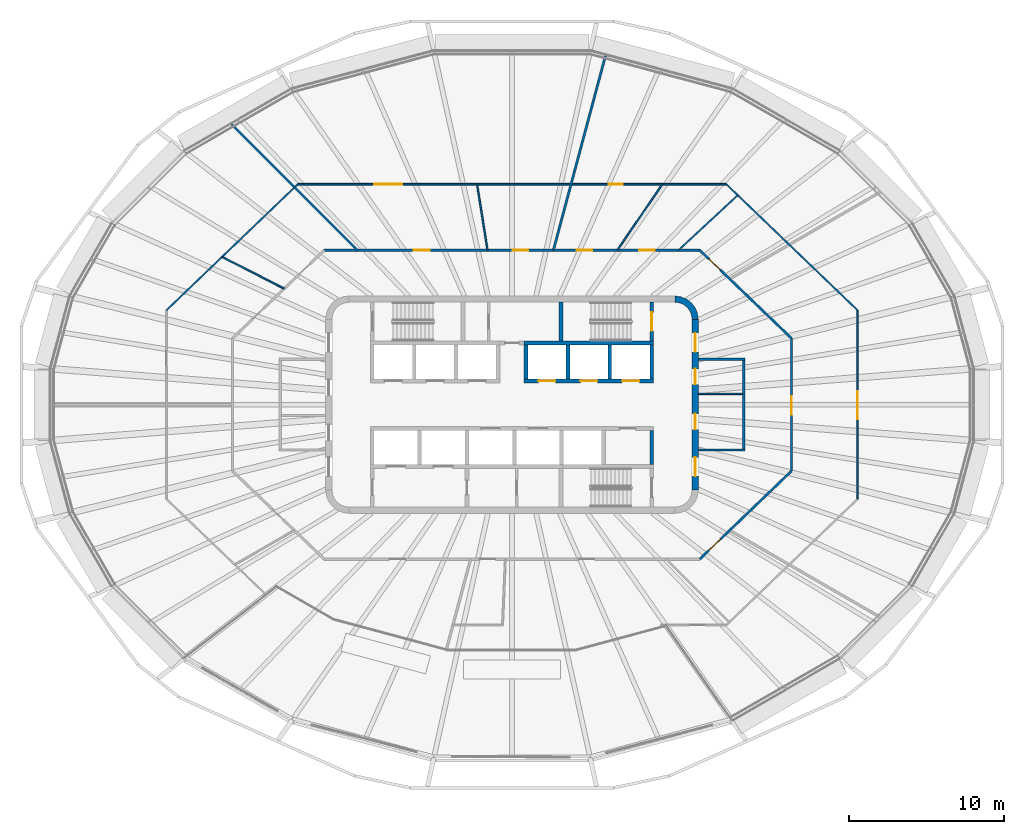
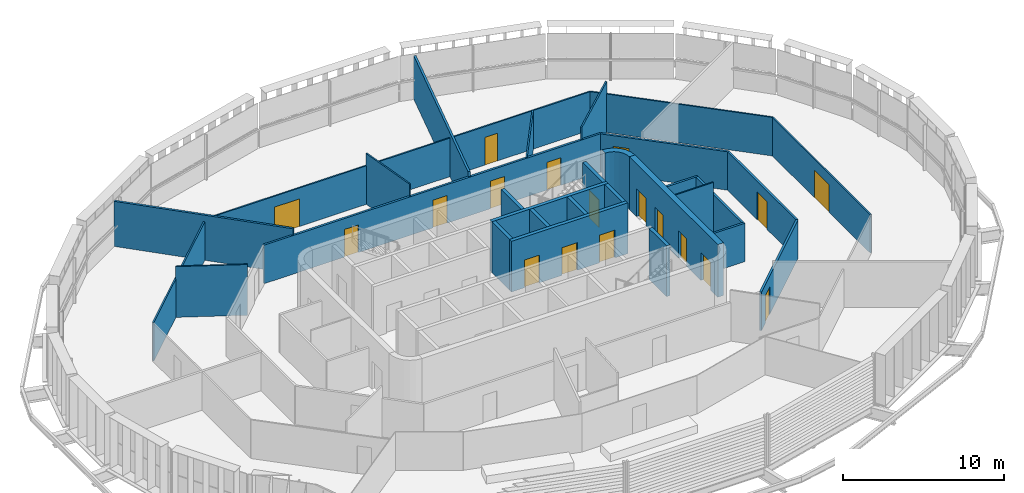
# One storey, part 12 of 20: 29 walls, 18 doors, 18 openings.
"""IFC4 building model written with IfcOpenShell, lengths in metres."""

from ifc_helpers import new_model, si_unit, direction, frame, frame_2d, origin, place, context, subcontext, project, spatial, polyline, rectangle, outline, extrude, material, layer, layer_set, type_object, element, fill, save


model = new_model("IFC4")

# Units and contexts
model_context = context("Model", 3, precision=1e-05, world=origin(), true_north=direction((0.0, 1.0)))
body_context = subcontext(model_context, "Body", "Model", "MODEL_VIEW")
ifc_project = project(units=[si_unit("LENGTHUNIT", "METRE"), si_unit("AREAUNIT", "SQUARE_METRE"), si_unit("VOLUMEUNIT", "CUBIC_METRE"), si_unit("PLANEANGLEUNIT", "RADIAN"), si_unit("MASSUNIT", "GRAM", prefix="KILO")], contexts=[model_context])

# Site, building, storey
site_placement = place(None, origin())
site = spatial("IfcSite", under=ifc_project, at=site_placement, CompositionType="ELEMENT")
building_placement = place(site_placement, origin())
building = spatial("IfcBuilding", under=site, at=building_placement, Name="Sahrelin Media Tower", CompositionType="ELEMENT")
storey_placement = place(building_placement, frame((0.0, 0.0, 271.0)))
storey = spatial("IfcBuildingStorey", under=building, at=storey_placement, Name="L59", CompositionType="ELEMENT", Elevation=271.0)

# Wall, openings, doors
ifc_material_1 = material(Name="Concrete C60/75", Category="concrete")
ifc_layer_1 = layer(ifc_material_1, 0.39990234375)
ifc_layer_set_1 = layer_set([ifc_layer_1], Name="Core wall 400")
wall_type_1 = type_object("IfcWallType", Name="Core wall 400", PredefinedType="SHEAR", material=ifc_layer_set_1)
wall_1_placement = place(storey_placement, frame((11.800048828125, -5.5, 0.0), z_axis=(0.0, 0.0, 1.0), x_axis=(0.0, 1.0, 0.0)))
wall_1 = element("IfcWall", 1, at=wall_1_placement, inside=storey, type_object=wall_type_1, Name="Core wall E L59", PredefinedType="SHEAR", context=body_context, shape_type="SweptSolid", body=[
    extrude(rectangle(XDim=11.0, YDim=0.39990234375, at=frame_2d((5.5, 0.0))), origin(), (0.0, 0.0, 1.0), 4.0),
])
opening_1_placement = place(wall_1_placement, frame((3.89990234375, 0.0, 0.0)))
opening_1 = element("IfcOpeningElement", 2, at=opening_1_placement, cuts=wall_1, Name="Opening L59-D12", PredefinedType="OPENING", context=body_context, shape_type="SweptSolid", body=[
    extrude(rectangle(XDim=1.0, YDim=2.10009765625, at=frame_2d((0.5, 1.050048828125))), frame((0.0, 0.199951171875, 0.0), z_axis=(0.0, -1.0, 0.0), x_axis=(1.0, 0.0, 0.0)), (0.0, 0.0, 1.0), 0.39990234375),
])
opening_2_placement = place(wall_1_placement, frame((6.800048828125, 0.0, 0.0)))
opening_2 = element("IfcOpeningElement", 3, at=opening_2_placement, cuts=wall_1, Name="Opening L59-D13", PredefinedType="OPENING", context=body_context, shape_type="SweptSolid", body=[
    extrude(rectangle(XDim=1.0, YDim=2.10009765625, at=frame_2d((0.5, 1.050048828125))), frame((0.0, 0.199951171875, 0.0), z_axis=(0.0, -1.0, 0.0), x_axis=(1.0, 0.0, 0.0)), (0.0, 0.0, 1.0), 0.39990234375),
])
opening_3_placement = place(wall_1_placement, frame((0.89990234375, 0.0, 0.0)))
opening_3 = element("IfcOpeningElement", 4, at=opening_3_placement, cuts=wall_1, Name="Opening L59-D16", PredefinedType="OPENING", context=body_context, shape_type="SweptSolid", body=[
    extrude(rectangle(XDim=1.199951171875, YDim=2.10009765625, at=frame_2d((0.60009765625, 1.050048828125))), frame((0.0, 0.199951171875, 0.0), z_axis=(0.0, -1.0, 0.0), x_axis=(1.0, 0.0, 0.0)), (0.0, 0.0, 1.0), 0.39990234375),
])
opening_4_placement = place(wall_1_placement, frame((8.89990234375, 0.0, 0.0)))
opening_4 = element("IfcOpeningElement", 5, at=opening_4_placement, cuts=wall_1, Name="Opening L59-D17", PredefinedType="OPENING", context=body_context, shape_type="SweptSolid", body=[
    extrude(rectangle(XDim=1.199951171875, YDim=2.10009765625, at=frame_2d((0.60009765625, 1.050048828125))), frame((0.0, 0.199951171875, 0.0), z_axis=(0.0, -1.0, 0.0), x_axis=(1.0, 0.0, 0.0)), (0.0, 0.0, 1.0), 0.39990234375),
])
ifc_material_2 = material(Name="Steel fire door leaf", Category="steel")
door_type_1 = type_object("IfcDoorType", Name="Fire door 1000 x 2100 EI 60", OperationType="NOTDEFINED", PredefinedType="DOOR", material=ifc_material_2)
door_1_placement = place(opening_1_placement, origin())
door_1 = element("IfcDoor", 6, at=door_1_placement, inside=storey, type_object=door_type_1, Name="Core room door", OperationType="SINGLE_SWING_RIGHT", OverallHeight=2.10009765625, OverallWidth=1.0, PredefinedType="DOOR", context=body_context, shape_type="SweptSolid", body=[
    extrude(rectangle(XDim=1.0, YDim=2.10009765625, at=frame_2d((0.5, 1.050048828125))), frame((0.0, 0.02490234375, 0.0), z_axis=(0.0, -1.0, 0.0), x_axis=(1.0, 0.0, 0.0)), (0.0, 0.0, 1.0), 0.050048828125),
])
fill(opening_1, door_1)
door_2_placement = place(opening_2_placement, origin())
door_2 = element("IfcDoor", 7, at=door_2_placement, inside=storey, type_object=door_type_1, Name="Core room door", OperationType="SINGLE_SWING_RIGHT", OverallHeight=2.10009765625, OverallWidth=1.0, PredefinedType="DOOR", context=body_context, shape_type="SweptSolid", body=[
    extrude(rectangle(XDim=1.0, YDim=2.10009765625, at=frame_2d((0.5, 1.050048828125))), frame((0.0, 0.02490234375, 0.0), z_axis=(0.0, -1.0, 0.0), x_axis=(1.0, 0.0, 0.0)), (0.0, 0.0, 1.0), 0.050048828125),
])
fill(opening_2, door_2)
door_type_2 = type_object("IfcDoorType", Name="Lobby door 1200 x 2100 EI 60", OperationType="NOTDEFINED", PredefinedType="DOOR", material=ifc_material_2)
door_3_placement = place(opening_3_placement, origin())
door_3 = element("IfcDoor", 8, at=door_3_placement, inside=storey, type_object=door_type_2, Name="Lobby door", OperationType="SINGLE_SWING_LEFT", OverallHeight=2.10009765625, OverallWidth=1.199951171875, PredefinedType="DOOR", context=body_context, shape_type="SweptSolid", body=[
    extrude(rectangle(XDim=1.199951171875, YDim=2.10009765625, at=frame_2d((0.60009765625, 1.050048828125))), frame((0.0, 0.02490234375, 0.0), z_axis=(0.0, -1.0, 0.0), x_axis=(1.0, 0.0, 0.0)), (0.0, 0.0, 1.0), 0.050048828125),
])
fill(opening_3, door_3)
door_4_placement = place(opening_4_placement, origin())
door_4 = element("IfcDoor", 9, at=door_4_placement, inside=storey, type_object=door_type_2, Name="Lobby door", OperationType="SINGLE_SWING_LEFT", OverallHeight=2.10009765625, OverallWidth=1.199951171875, PredefinedType="DOOR", context=body_context, shape_type="SweptSolid", body=[
    extrude(rectangle(XDim=1.199951171875, YDim=2.10009765625, at=frame_2d((0.60009765625, 1.050048828125))), frame((0.0, 0.02490234375, 0.0), z_axis=(0.0, -1.0, 0.0), x_axis=(1.0, 0.0, 0.0)), (0.0, 0.0, 1.0), 0.050048828125),
])
fill(opening_4, door_4)

# Walls
wall_2_placement = place(storey_placement, origin())
element("IfcWall", 10, at=wall_2_placement, inside=storey, type_object=wall_type_1, Name="Core wall corner NE L59", PredefinedType="SHEAR", context=body_context, shape_type="SweptSolid", body=[
    extrude(outline(polyline([(10.5, 7.0), (10.5, 6.596435546875), (10.78369140625, 6.55908203125), (11.04833984375, 6.44970703125), (11.275390625, 6.275390625), (11.44970703125, 6.04833984375), (11.55908203125, 5.78369140625), (11.596435546875, 5.5), (12.0, 5.5), (11.948974609375, 5.88818359375), (11.799072265625, 6.25), (11.560791015625, 6.560791015625), (11.25, 6.799072265625), (10.88818359375, 6.948974609375), (10.5, 7.0)])), origin(), (0.0, 0.0, 1.0), 4.0),
])
ifc_material_3 = material(Name="Fire-rated gypsum board partition")
ifc_layer_2 = layer(ifc_material_3, 0.10009765625)
ifc_layer_set_2 = layer_set([ifc_layer_2], Name="Fire-rated partition 100")
wall_type_2 = type_object("IfcWallType", Name="Fire-rated partition 100", PredefinedType="PARTITIONING", material=ifc_layer_set_2)
wall_3_placement = place(storey_placement, frame((12.0, 0.699951171875, 0.0), z_axis=(0.0, 0.0, 1.0), x_axis=(1.0, 0.0, 0.0)))
element("IfcWall", 11, at=wall_3_placement, inside=storey, type_object=wall_type_2, Name="Core room partition", PredefinedType="PARTITIONING", context=body_context, shape_type="SweptSolid", body=[
    extrude(rectangle(XDim=2.85009765625, YDim=0.10009765625, at=frame_2d((1.425048828125, 0.0))), origin(), (0.0, 0.0, 1.0), 3.85009765625),
])
ifc_layer_3 = layer(ifc_material_3, 0.14990234375)
ifc_layer_set_3 = layer_set([ifc_layer_3], Name="Fire-rated partition 150")
wall_type_3 = type_object("IfcWallType", Name="Fire-rated partition 150", PredefinedType="PARTITIONING", material=ifc_layer_set_3)
wall_4_placement = place(storey_placement, frame((14.925048828125, -2.85009765625, 0.0), z_axis=(0.0, 0.0, 1.0), x_axis=(0.0, 1.0, 0.0)))
element("IfcWall", 12, at=wall_4_placement, inside=storey, type_object=wall_type_3, Name="Core room fire partition", PredefinedType="PARTITIONING", context=body_context, shape_type="SweptSolid", body=[
    extrude(rectangle(XDim=5.7001953125, YDim=0.14990234375, at=frame_2d((2.85009765625, 0.0))), origin(), (0.0, 0.0, 1.0), 2.918212890625),
])
for number, where, z_axis, x_axis, name in (
    (13, (12.0, 2.925048828125, 0.0), (0.0, 0.0, 1.0), (1.0, 0.0, 0.0), "Core room fire partition"),
    (14, (12.0, -2.925048828125, 0.0), (0.0, 0.0, 1.0), (1.0, 0.0, 0.0), "Core room fire partition"),
):
    element("IfcWall", number, at=place(storey_placement, frame(where, z_axis=z_axis, x_axis=x_axis)), inside=storey, type_object=wall_type_3, Name=name, PredefinedType="PARTITIONING", context=body_context, shape_type="SweptSolid", body=[
        extrude(rectangle(XDim=3.0, YDim=0.14990234375, at=frame_2d((1.5, 0.0))), origin(), (0.0, 0.0, 1.0), 2.918212890625),
    ])
wall_5_placement = place(storey_placement, frame((-18.10498046875, 18.10498046875, 0.0), z_axis=(0.0, 0.0, 1.0), x_axis=(0.707106781187, -0.707106781187, 0.0)))
element("IfcWall", 15, at=wall_5_placement, inside=storey, type_object=wall_type_3, Name="Wall", PredefinedType="PARTITIONING", context=body_context, shape_type="SweptSolid", body=[
    extrude(rectangle(XDim=11.534423828125, YDim=0.14990234375, at=frame_2d((5.76708984375, 0.0))), origin(), (0.0, 0.0, 1.0), 3.423583984375),
])

# Wall, opening, door
wall_6_placement = place(storey_placement, frame((12.094970703125, 9.948974609375, 0.0), z_axis=(0.0, 0.0, 1.0), x_axis=(0.721260976692, -0.69266341285, 0.0)))
wall_6 = element("IfcWall", 16, at=wall_6_placement, inside=storey, type_object=wall_type_3, Name="Wall", PredefinedType="PARTITIONING", context=body_context, shape_type="SweptSolid", body=[
    extrude(rectangle(XDim=8.18701171875, YDim=0.14990234375, at=frame_2d((4.093505859375, 0.0))), origin(), (0.0, 0.0, 1.0), 2.918212890625),
])
opening_5_placement = place(wall_6_placement, frame((0.83544921875, 0.0, 0.0)))
opening_5 = element("IfcOpeningElement", 17, at=opening_5_placement, cuts=wall_6, Name="Opening L59-D27", PredefinedType="OPENING", context=body_context, shape_type="SweptSolid", body=[
    extrude(rectangle(XDim=1.0, YDim=2.10009765625, at=frame_2d((0.5, 1.050048828125))), frame((0.0, 0.074951171875, 0.0), z_axis=(0.0, -1.0, 0.0), x_axis=(1.0, 0.0, 0.0)), (0.0, 0.0, 1.0), 0.14990234375),
])
door_5_placement = place(opening_5_placement, origin())
door_5 = element("IfcDoor", 18, at=door_5_placement, inside=storey, type_object=door_type_1, Name="Fire door", OperationType="SINGLE_SWING_RIGHT", OverallHeight=2.10009765625, OverallWidth=1.0, PredefinedType="DOOR", context=body_context, shape_type="SweptSolid", body=[
    extrude(rectangle(XDim=1.0, YDim=2.10009765625, at=frame_2d((0.5, 1.050048828125))), frame((0.0, 0.02490234375, 0.0), z_axis=(0.0, -1.0, 0.0), x_axis=(1.0, 0.0, 0.0)), (0.0, 0.0, 1.0), 0.050048828125),
])
fill(opening_5, door_5)

# Wall, openings, doors
wall_7_placement = place(storey_placement, frame((-12.094970703125, 9.948974609375, 0.0), z_axis=(0.0, 0.0, 1.0), x_axis=(1.0, 0.0, 0.0)))
wall_7 = element("IfcWall", 19, at=wall_7_placement, inside=storey, type_object=wall_type_3, Name="Wall", PredefinedType="PARTITIONING", context=body_context, shape_type="SweptSolid", body=[
    extrude(rectangle(XDim=24.18994140625, YDim=0.14990234375, at=frame_2d((12.094970703125, 0.0))), origin(), (0.0, 0.0, 1.0), 2.927001953125),
])
opening_6_placement = place(wall_7_placement, frame((20.29736328125, 0.0, 0.0)))
opening_6 = element("IfcOpeningElement", 20, at=opening_6_placement, cuts=wall_7, Name="Opening L59-D28", PredefinedType="OPENING", context=body_context, shape_type="SweptSolid", body=[
    extrude(rectangle(XDim=1.0, YDim=2.10009765625, at=frame_2d((0.5, 1.050048828125))), frame((0.0, 0.074951171875, 0.0), z_axis=(0.0, -1.0, 0.0), x_axis=(1.0, 0.0, 0.0)), (0.0, 0.0, 1.0), 0.14990234375),
])
opening_7_placement = place(wall_7_placement, frame((16.26953125, 0.0, 0.0)))
opening_7 = element("IfcOpeningElement", 21, at=opening_7_placement, cuts=wall_7, Name="Opening L59-D29", PredefinedType="OPENING", context=body_context, shape_type="SweptSolid", body=[
    extrude(rectangle(XDim=1.0, YDim=2.10009765625, at=frame_2d((0.5, 1.050048828125))), frame((0.0, 0.074951171875, 0.0), z_axis=(0.0, -1.0, 0.0), x_axis=(1.0, 0.0, 0.0)), (0.0, 0.0, 1.0), 0.14990234375),
])
opening_8_placement = place(wall_7_placement, frame((12.139892578125, 0.0, 0.0)))
opening_8 = element("IfcOpeningElement", 22, at=opening_8_placement, cuts=wall_7, Name="Opening L59-D31", PredefinedType="OPENING", context=body_context, shape_type="SweptSolid", body=[
    extrude(rectangle(XDim=1.0, YDim=2.10009765625, at=frame_2d((0.5, 1.050048828125))), frame((0.0, 0.074951171875, 0.0), z_axis=(0.0, -1.0, 0.0), x_axis=(1.0, 0.0, 0.0)), (0.0, 0.0, 1.0), 0.14990234375),
])
opening_9_placement = place(wall_7_placement, frame((5.781982421875, 0.0, 0.0)))
opening_9 = element("IfcOpeningElement", 23, at=opening_9_placement, cuts=wall_7, Name="Opening L59-D32", PredefinedType="OPENING", context=body_context, shape_type="SweptSolid", body=[
    extrude(rectangle(XDim=1.0, YDim=2.10009765625, at=frame_2d((0.5, 1.050048828125))), frame((0.0, 0.074951171875, 0.0), z_axis=(0.0, -1.0, 0.0), x_axis=(1.0, 0.0, 0.0)), (0.0, 0.0, 1.0), 0.14990234375),
])
door_6_placement = place(opening_6_placement, origin())
door_6 = element("IfcDoor", 24, at=door_6_placement, inside=storey, type_object=door_type_1, Name="Fire door", OperationType="SINGLE_SWING_LEFT", OverallHeight=2.10009765625, OverallWidth=1.0, PredefinedType="DOOR", context=body_context, shape_type="SweptSolid", body=[
    extrude(rectangle(XDim=1.0, YDim=2.10009765625, at=frame_2d((0.5, 1.050048828125))), frame((0.0, 0.02490234375, 0.0), z_axis=(0.0, -1.0, 0.0), x_axis=(1.0, 0.0, 0.0)), (0.0, 0.0, 1.0), 0.050048828125),
])
fill(opening_6, door_6)
door_7_placement = place(opening_7_placement, origin())
door_7 = element("IfcDoor", 25, at=door_7_placement, inside=storey, type_object=door_type_1, Name="Fire door", OperationType="SINGLE_SWING_LEFT", OverallHeight=2.10009765625, OverallWidth=1.0, PredefinedType="DOOR", context=body_context, shape_type="SweptSolid", body=[
    extrude(rectangle(XDim=1.0, YDim=2.10009765625, at=frame_2d((0.5, 1.050048828125))), frame((0.0, 0.02490234375, 0.0), z_axis=(0.0, -1.0, 0.0), x_axis=(1.0, 0.0, 0.0)), (0.0, 0.0, 1.0), 0.050048828125),
])
fill(opening_7, door_7)
door_8_placement = place(opening_8_placement, origin())
door_8 = element("IfcDoor", 26, at=door_8_placement, inside=storey, type_object=door_type_1, Name="Fire door", OperationType="SINGLE_SWING_LEFT", OverallHeight=2.10009765625, OverallWidth=1.0, PredefinedType="DOOR", context=body_context, shape_type="SweptSolid", body=[
    extrude(rectangle(XDim=1.0, YDim=2.10009765625, at=frame_2d((0.5, 1.050048828125))), frame((0.0, 0.02490234375, 0.0), z_axis=(0.0, -1.0, 0.0), x_axis=(1.0, 0.0, 0.0)), (0.0, 0.0, 1.0), 0.050048828125),
])
fill(opening_8, door_8)
door_9_placement = place(opening_9_placement, origin())
door_9 = element("IfcDoor", 27, at=door_9_placement, inside=storey, type_object=door_type_1, Name="Fire door", OperationType="SINGLE_SWING_LEFT", OverallHeight=2.10009765625, OverallWidth=1.0, PredefinedType="DOOR", context=body_context, shape_type="SweptSolid", body=[
    extrude(rectangle(XDim=1.0, YDim=2.10009765625, at=frame_2d((0.5, 1.050048828125))), frame((0.0, 0.02490234375, 0.0), z_axis=(0.0, -1.0, 0.0), x_axis=(1.0, 0.0, 0.0)), (0.0, 0.0, 1.0), 0.050048828125),
])
fill(opening_9, door_9)

# Wall, opening, door
wall_8_placement = place(storey_placement, frame((12.094970703125, -9.948974609375, 0.0), z_axis=(0.0, 0.0, 1.0), x_axis=(0.721246078931, 0.692678925352, 0.0)))
wall_8 = element("IfcWall", 28, at=wall_8_placement, inside=storey, type_object=wall_type_3, Name="Wall", PredefinedType="PARTITIONING", context=body_context, shape_type="SweptSolid", body=[
    extrude(rectangle(XDim=8.187255859375, YDim=0.14990234375, at=frame_2d((4.09375, 0.0))), origin(), (0.0, 0.0, 1.0), 2.918212890625),
])
opening_10_placement = place(wall_8_placement, frame((0.835693359375, 0.0, 0.0)))
opening_10 = element("IfcOpeningElement", 29, at=opening_10_placement, cuts=wall_8, Name="Opening L59-D23", PredefinedType="OPENING", context=body_context, shape_type="SweptSolid", body=[
    extrude(rectangle(XDim=1.0, YDim=2.10009765625, at=frame_2d((0.5, 1.050048828125))), frame((0.0, 0.074951171875, 0.0), z_axis=(0.0, -1.0, 0.0), x_axis=(1.0, 0.0, 0.0)), (0.0, 0.0, 1.0), 0.14990234375),
])
door_10_placement = place(opening_10_placement, origin())
door_10 = element("IfcDoor", 30, at=door_10_placement, inside=storey, type_object=door_type_1, Name="Fire door", OperationType="SINGLE_SWING_RIGHT", OverallHeight=2.10009765625, OverallWidth=1.0, PredefinedType="DOOR", context=body_context, shape_type="SweptSolid", body=[
    extrude(rectangle(XDim=1.0, YDim=2.10009765625, at=frame_2d((0.5, 1.050048828125))), frame((0.0, 0.02490234375, 0.0), z_axis=(0.0, -1.0, 0.0), x_axis=(1.0, 0.0, 0.0)), (0.0, 0.0, 1.0), 0.050048828125),
])
fill(opening_10, door_10)

# Wall
wall_9_placement = place(storey_placement, frame((2.666015625, 9.948974609375, 0.0), z_axis=(0.0, 0.0, 1.0), x_axis=(0.258771640592, 0.965938527043, 0.0)))
element("IfcWall", 31, at=wall_9_placement, inside=storey, type_object=wall_type_3, Name="Wall", PredefinedType="PARTITIONING", context=body_context, shape_type="SweptSolid", body=[
    extrude(rectangle(XDim=13.04248046875, YDim=0.14990234375, at=frame_2d((6.521240234375, 0.0))), origin(), (0.0, 0.0, 1.0), 3.3017578125),
])

# Wall, opening, door
wall_10_placement = place(storey_placement, frame((18.0, -4.278076171875, 0.0), z_axis=(0.0, 0.0, 1.0), x_axis=(0.0, 1.0, 0.0)))
wall_10 = element("IfcWall", 32, at=wall_10_placement, inside=storey, type_object=wall_type_3, Name="Wall", PredefinedType="PARTITIONING", context=body_context, shape_type="SweptSolid", body=[
    extrude(rectangle(XDim=8.55615234375, YDim=0.14990234375, at=frame_2d((4.278076171875, 0.0))), origin(), (0.0, 0.0, 1.0), 2.918212890625),
])
opening_11_placement = place(wall_10_placement, frame((3.62744140625, 0.0, 0.0)))
opening_11 = element("IfcOpeningElement", 33, at=opening_11_placement, cuts=wall_10, Name="Opening L59-D25", PredefinedType="OPENING", context=body_context, shape_type="SweptSolid", body=[
    extrude(rectangle(XDim=1.199951171875, YDim=2.10009765625, at=frame_2d((0.60009765625, 1.050048828125))), frame((0.0, 0.074951171875, 0.0), z_axis=(0.0, -1.0, 0.0), x_axis=(1.0, 0.0, 0.0)), (0.0, 0.0, 1.0), 0.14990234375),
])
door_type_3 = type_object("IfcDoorType", Name="Service double door 1200 x 2100 EI 60", OperationType="DOUBLE_DOOR_SINGLE_SWING", PredefinedType="DOOR", material=ifc_material_2)
door_11_placement = place(opening_11_placement, origin())
door_11 = element("IfcDoor", 34, at=door_11_placement, inside=storey, type_object=door_type_3, Name="Service double door", OperationType="DOUBLE_DOOR_SINGLE_SWING", OverallHeight=2.10009765625, OverallWidth=1.199951171875, PredefinedType="DOOR", context=body_context, shape_type="SweptSolid", body=[
    extrude(rectangle(XDim=1.199951171875, YDim=2.10009765625, at=frame_2d((0.60009765625, 1.050048828125))), frame((0.0, 0.02490234375, 0.0), z_axis=(0.0, -1.0, 0.0), x_axis=(1.0, 0.0, 0.0)), (0.0, 0.0, 1.0), 0.050048828125),
])
fill(opening_11, door_11)

# Wall, openings, doors
ifc_layer_4 = layer(ifc_material_1, 0.25)
ifc_layer_set_4 = layer_set([ifc_layer_4], Name="Lift shaft wall 250")
wall_type_4 = type_object("IfcWallType", Name="Lift shaft wall 250", PredefinedType="SOLIDWALL", material=ifc_layer_set_4)
wall_11_placement = place(storey_placement, frame((0.77490234375, 1.52490234375, 0.0), z_axis=(0.0, 0.0, 1.0), x_axis=(1.0, 0.0, 0.0)))
wall_11 = element("IfcWall", 35, at=wall_11_placement, inside=storey, type_object=wall_type_4, Name="Lift shaft wall", PredefinedType="SOLIDWALL", context=body_context, shape_type="SweptSolid", body=[
    extrude(rectangle(XDim=8.35009765625, YDim=0.25, at=frame_2d((4.175048828125, 0.0))), origin(), (0.0, 0.0, 1.0), 3.85009765625),
])
opening_12_placement = place(wall_11_placement, frame((0.925048828125, 0.0, 0.0)))
opening_12 = element("IfcOpeningElement", 36, at=opening_12_placement, cuts=wall_11, Name="Opening L59-LD-HR4", PredefinedType="OPENING", context=body_context, shape_type="SweptSolid", body=[
    extrude(rectangle(XDim=1.10009765625, YDim=2.10009765625, at=frame_2d((0.550048828125, 1.050048828125))), frame((0.0, 0.125, 0.0), z_axis=(0.0, -1.0, 0.0), x_axis=(1.0, 0.0, 0.0)), (0.0, 0.0, 1.0), 0.25),
])
opening_13_placement = place(wall_11_placement, frame((3.625, 0.0, 0.0)))
opening_13 = element("IfcOpeningElement", 37, at=opening_13_placement, cuts=wall_11, Name="Opening L59-LD-HR5", PredefinedType="OPENING", context=body_context, shape_type="SweptSolid", body=[
    extrude(rectangle(XDim=1.10009765625, YDim=2.10009765625, at=frame_2d((0.550048828125, 1.050048828125))), frame((0.0, 0.125, 0.0), z_axis=(0.0, -1.0, 0.0), x_axis=(1.0, 0.0, 0.0)), (0.0, 0.0, 1.0), 0.25),
])
opening_14_placement = place(wall_11_placement, frame((6.324951171875, 0.0, 0.0)))
opening_14 = element("IfcOpeningElement", 38, at=opening_14_placement, cuts=wall_11, Name="Opening L59-LD-HR6", PredefinedType="OPENING", context=body_context, shape_type="SweptSolid", body=[
    extrude(rectangle(XDim=1.10009765625, YDim=2.10009765625, at=frame_2d((0.550048828125, 1.050048828125))), frame((0.0, 0.125, 0.0), z_axis=(0.0, -1.0, 0.0), x_axis=(1.0, 0.0, 0.0)), (0.0, 0.0, 1.0), 0.25),
])
ifc_material_4 = material(Name="Stainless steel", Category="steel")
door_type_4 = type_object("IfcDoorType", Name="Lift landing door 1100 x 2100 EI 120", OperationType="DOUBLE_DOOR_SLIDING", PredefinedType="DOOR", material=ifc_material_4)
door_12_placement = place(opening_12_placement, origin())
door_12 = element("IfcDoor", 39, at=door_12_placement, inside=storey, type_object=door_type_4, Name="Lift landing door HR4", OperationType="DOUBLE_DOOR_SLIDING", OverallHeight=2.10009765625, OverallWidth=1.10009765625, PredefinedType="DOOR", context=body_context, shape_type="SweptSolid", body=[
    extrude(rectangle(XDim=1.10009765625, YDim=2.10009765625, at=frame_2d((0.550048828125, 1.050048828125))), frame((0.0, 0.02490234375, 0.0), z_axis=(0.0, -1.0, 0.0), x_axis=(1.0, 0.0, 0.0)), (0.0, 0.0, 1.0), 0.050048828125),
])
fill(opening_12, door_12)
door_13_placement = place(opening_13_placement, origin())
door_13 = element("IfcDoor", 40, at=door_13_placement, inside=storey, type_object=door_type_4, Name="Lift landing door HR5", OperationType="DOUBLE_DOOR_SLIDING", OverallHeight=2.10009765625, OverallWidth=1.10009765625, PredefinedType="DOOR", context=body_context, shape_type="SweptSolid", body=[
    extrude(rectangle(XDim=1.10009765625, YDim=2.10009765625, at=frame_2d((0.550048828125, 1.050048828125))), frame((0.0, 0.02490234375, 0.0), z_axis=(0.0, -1.0, 0.0), x_axis=(1.0, 0.0, 0.0)), (0.0, 0.0, 1.0), 0.050048828125),
])
fill(opening_13, door_13)
door_14_placement = place(opening_14_placement, origin())
door_14 = element("IfcDoor", 41, at=door_14_placement, inside=storey, type_object=door_type_4, Name="Lift landing door HR6", OperationType="DOUBLE_DOOR_SLIDING", OverallHeight=2.10009765625, OverallWidth=1.10009765625, PredefinedType="DOOR", context=body_context, shape_type="SweptSolid", body=[
    extrude(rectangle(XDim=1.10009765625, YDim=2.10009765625, at=frame_2d((0.550048828125, 1.050048828125))), frame((0.0, 0.02490234375, 0.0), z_axis=(0.0, -1.0, 0.0), x_axis=(1.0, 0.0, 0.0)), (0.0, 0.0, 1.0), 0.050048828125),
])
fill(opening_14, door_14)

# Walls
wall_12_placement = place(storey_placement, frame((0.77490234375, 3.97509765625, 0.0), z_axis=(0.0, 0.0, 1.0), x_axis=(1.0, 0.0, 0.0)))
element("IfcWall", 42, at=wall_12_placement, inside=storey, type_object=wall_type_4, Name="Lift shaft wall", PredefinedType="SOLIDWALL", context=body_context, shape_type="SweptSolid", body=[
    extrude(rectangle(XDim=8.35009765625, YDim=0.25, at=frame_2d((4.175048828125, 0.0))), origin(), (0.0, 0.0, 1.0), 3.85009765625),
])
for number, where, z_axis, x_axis, name in (
    (43, (9.0, 1.64990234375, 0.0), (0.0, 0.0, 1.0), (0.0, 1.0, 0.0), "Lift shaft wall"),
    (44, (6.300048828125, 1.64990234375, 0.0), (0.0, 0.0, 1.0), (0.0, 1.0, 0.0), "Lift shaft wall"),
    (45, (3.60009765625, 1.64990234375, 0.0), (0.0, 0.0, 1.0), (0.0, 1.0, 0.0), "Lift shaft wall"),
    (46, (0.89990234375, 1.64990234375, 0.0), (0.0, 0.0, 1.0), (0.0, 1.0, 0.0), "Lift shaft wall"),
    (47, (9.0, -3.85009765625, 0.0), (0.0, 0.0, 1.0), (0.0, 1.0, 0.0), "Lift shaft wall"),
):
    element("IfcWall", number, at=place(storey_placement, frame(where, z_axis=z_axis, x_axis=x_axis)), inside=storey, type_object=wall_type_4, Name=name, PredefinedType="SOLIDWALL", context=body_context, shape_type="SweptSolid", body=[
        extrude(rectangle(XDim=2.2001953125, YDim=0.25, at=frame_2d((1.10009765625, 0.0))), origin(), (0.0, 0.0, 1.0), 3.85009765625),
    ])
ifc_material_5 = material(Name="Gypsum board partition")
ifc_layer_5 = layer(ifc_material_5, 0.10009765625)
ifc_layer_set_5 = layer_set([ifc_layer_5], Name="Partition 100")
wall_type_5 = type_object("IfcWallType", Name="Partition 100", PredefinedType="PARTITIONING", material=ifc_layer_set_5)
wall_13_placement = place(storey_placement, frame((-2.2490234375, 14.198974609375, 0.0), z_axis=(0.0, 0.0, 1.0), x_axis=(0.156425811894, -0.98768971108, 0.0)))
element("IfcWall", 48, at=wall_13_placement, inside=storey, type_object=wall_type_5, Name="Wall", PredefinedType="PARTITIONING", context=body_context, shape_type="SweptSolid", body=[
    extrude(rectangle(XDim=4.302978515625, YDim=0.10009765625, at=frame_2d((2.1513671875, 0.0))), origin(), (0.0, 0.0, 1.0), 3.85009765625),
])
wall_14_placement = place(storey_placement, frame((13.804931640625, 14.198974609375, 0.0), z_axis=(0.0, 0.0, 1.0), x_axis=(0.721317314508, -0.692604744274, 0.0)))
element("IfcWall", 49, at=wall_14_placement, inside=storey, type_object=wall_type_5, Name="Wall", PredefinedType="PARTITIONING", context=body_context, shape_type="SweptSolid", body=[
    extrude(rectangle(XDim=11.70849609375, YDim=0.10009765625, at=frame_2d((5.854248046875, 0.0))), origin(), (0.0, 0.0, 1.0), 2.927001953125),
])
wall_15_placement = place(storey_placement, frame((-18.679931640625, 9.51806640625, 0.0), z_axis=(0.0, 0.0, 1.0), x_axis=(0.890982762067, -0.454037132512, 0.0)))
element("IfcWall", 50, at=wall_15_placement, inside=storey, type_object=wall_type_5, Name="Wall", PredefinedType="PARTITIONING", context=body_context, shape_type="SweptSolid", body=[
    extrude(rectangle(XDim=4.49951171875, YDim=0.10009765625, at=frame_2d((2.249755859375, 0.0))), origin(), (0.0, 0.0, 1.0), 3.85009765625),
])

# Wall, openings, doors
wall_16_placement = place(storey_placement, frame((-13.804931640625, 14.198974609375, 0.0), z_axis=(0.0, 0.0, 1.0), x_axis=(1.0, 0.0, 0.0)))
wall_16 = element("IfcWall", 51, at=wall_16_placement, inside=storey, type_object=wall_type_5, Name="Wall", PredefinedType="PARTITIONING", context=body_context, shape_type="SweptSolid", body=[
    extrude(rectangle(XDim=27.60986328125, YDim=0.10009765625, at=frame_2d((13.804931640625, 0.0))), origin(), (0.0, 0.0, 1.0), 2.927001953125),
])
opening_15_placement = place(wall_16_placement, frame((20.047119140625, 0.0, 0.0)))
opening_15 = element("IfcOpeningElement", 52, at=opening_15_placement, cuts=wall_16, Name="Opening L59-D30", PredefinedType="OPENING", context=body_context, shape_type="SweptSolid", body=[
    extrude(rectangle(XDim=0.89990234375, YDim=2.10009765625, at=frame_2d((0.449951171875, 1.050048828125))), frame((0.0, 0.050048828125, 0.0), z_axis=(0.0, -1.0, 0.0), x_axis=(1.0, 0.0, 0.0)), (0.0, 0.0, 1.0), 0.10009765625),
])
opening_16_placement = place(wall_16_placement, frame((4.92822265625, 0.0, 0.0)))
opening_16 = element("IfcOpeningElement", 53, at=opening_16_placement, cuts=wall_16, Name="Opening L59-D33", PredefinedType="OPENING", context=body_context, shape_type="SweptSolid", body=[
    extrude(rectangle(XDim=1.800048828125, YDim=2.10009765625, at=frame_2d((0.89990234375, 1.050048828125))), frame((0.0, 0.050048828125, 0.0), z_axis=(0.0, -1.0, 0.0), x_axis=(1.0, 0.0, 0.0)), (0.0, 0.0, 1.0), 0.10009765625),
])
ifc_material_6 = material(Name="Timber door leaf", Category="wood")
door_type_5 = type_object("IfcDoorType", Name="Double door 1800 x 2100", OperationType="DOUBLE_DOOR_SINGLE_SWING", PredefinedType="DOOR", material=ifc_material_6)
door_15_placement = place(opening_16_placement, origin())
door_15 = element("IfcDoor", 54, at=door_15_placement, inside=storey, type_object=door_type_5, Name="Double door", OperationType="DOUBLE_DOOR_SINGLE_SWING", OverallHeight=2.10009765625, OverallWidth=1.800048828125, PredefinedType="DOOR", context=body_context, shape_type="SweptSolid", body=[
    extrude(rectangle(XDim=1.800048828125, YDim=2.10009765625, at=frame_2d((0.89990234375, 1.050048828125))), frame((0.0, 0.02490234375, 0.0), z_axis=(0.0, -1.0, 0.0), x_axis=(1.0, 0.0, 0.0)), (0.0, 0.0, 1.0), 0.050048828125),
])
fill(opening_16, door_15)
door_type_6 = type_object("IfcDoorType", Name="Single door 900 x 2100", OperationType="NOTDEFINED", PredefinedType="DOOR", material=ifc_material_6)
door_16_placement = place(opening_15_placement, origin())
door_16 = element("IfcDoor", 55, at=door_16_placement, inside=storey, type_object=door_type_6, Name="Single door", OperationType="SINGLE_SWING_RIGHT", OverallHeight=2.10009765625, OverallWidth=0.89990234375, PredefinedType="DOOR", context=body_context, shape_type="SweptSolid", body=[
    extrude(rectangle(XDim=0.89990234375, YDim=2.10009765625, at=frame_2d((0.449951171875, 1.050048828125))), frame((0.0, 0.02490234375, 0.0), z_axis=(0.0, -1.0, 0.0), x_axis=(1.0, 0.0, 0.0)), (0.0, 0.0, 1.0), 0.050048828125),
])
fill(opening_15, door_16)

# Walls
wall_17_placement = place(storey_placement, frame((10.722900390625, 9.948974609375, 0.0), z_axis=(0.0, 0.0, 1.0), x_axis=(0.733112222909, 0.680107688989, 0.0)))
element("IfcWall", 56, at=wall_17_placement, inside=storey, type_object=wall_type_5, Name="Wall", PredefinedType="PARTITIONING", context=body_context, shape_type="SweptSolid", body=[
    extrude(rectangle(XDim=5.20947265625, YDim=0.10009765625, at=frame_2d((2.604736328125, 0.0))), origin(), (0.0, 0.0, 1.0), 3.85009765625),
])
wall_18_placement = place(storey_placement, frame((-22.25, 6.089111328125, 0.0), z_axis=(0.0, 0.0, 1.0), x_axis=(0.721429821881, 0.692487553751, 0.0)))
element("IfcWall", 57, at=wall_18_placement, inside=storey, type_object=wall_type_5, Name="Wall", PredefinedType="PARTITIONING", context=body_context, shape_type="SweptSolid", body=[
    extrude(rectangle(XDim=11.70849609375, YDim=0.10009765625, at=frame_2d((5.854248046875, 0.0))), origin(), (0.0, 0.0, 1.0), 2.927001953125),
])
wall_19_placement = place(storey_placement, frame((6.783935546875, 9.948974609375, 0.0), z_axis=(0.0, 0.0, 1.0), x_axis=(0.563236665665, 0.826295624127, 0.0)))
element("IfcWall", 58, at=wall_19_placement, inside=storey, type_object=wall_type_5, Name="Wall", PredefinedType="PARTITIONING", context=body_context, shape_type="SweptSolid", body=[
    extrude(rectangle(XDim=5.1435546875, YDim=0.10009765625, at=frame_2d((2.57177734375, 0.0))), origin(), (0.0, 0.0, 1.0), 2.927001953125),
])

# Wall, opening, door
wall_20_placement = place(storey_placement, frame((22.25, -6.089111328125, 0.0), z_axis=(0.0, 0.0, 1.0), x_axis=(0.0, 1.0, 0.0)))
wall_20 = element("IfcWall", 59, at=wall_20_placement, inside=storey, type_object=wall_type_5, Name="Wall", PredefinedType="PARTITIONING", context=body_context, shape_type="SweptSolid", body=[
    extrude(rectangle(XDim=12.17822265625, YDim=0.10009765625, at=frame_2d((6.089111328125, 0.0))), origin(), (0.0, 0.0, 1.0), 2.918212890625),
])
opening_17_placement = place(wall_20_placement, frame((5.138671875, 0.0, 0.0)))
opening_17 = element("IfcOpeningElement", 60, at=opening_17_placement, cuts=wall_20, Name="Opening L59-D26", PredefinedType="OPENING", context=body_context, shape_type="SweptSolid", body=[
    extrude(rectangle(XDim=1.800048828125, YDim=2.10009765625, at=frame_2d((0.89990234375, 1.050048828125))), frame((0.0, 0.050048828125, 0.0), z_axis=(0.0, -1.0, 0.0), x_axis=(1.0, 0.0, 0.0)), (0.0, 0.0, 1.0), 0.10009765625),
])
door_17_placement = place(opening_17_placement, origin())
door_17 = element("IfcDoor", 61, at=door_17_placement, inside=storey, type_object=door_type_5, Name="Double door", OperationType="DOUBLE_DOOR_SINGLE_SWING", OverallHeight=2.10009765625, OverallWidth=1.800048828125, PredefinedType="DOOR", context=body_context, shape_type="SweptSolid", body=[
    extrude(rectangle(XDim=1.800048828125, YDim=2.10009765625, at=frame_2d((0.89990234375, 1.050048828125))), frame((0.0, 0.02490234375, 0.0), z_axis=(0.0, -1.0, 0.0), x_axis=(1.0, 0.0, 0.0)), (0.0, 0.0, 1.0), 0.050048828125),
])
fill(opening_17, door_17)

ifc_layer_6 = layer(ifc_material_1, 0.25)
ifc_layer_set_6 = layer_set([ifc_layer_6], Name="Stair enclosure wall 250")
wall_type_6 = type_object("IfcWallType", Name="Stair enclosure wall 250", PredefinedType="SOLIDWALL", material=ifc_layer_set_6)
wall_21_placement = place(storey_placement, frame((9.0, 4.10009765625, 0.0), z_axis=(0.0, 0.0, 1.0), x_axis=(0.0, 1.0, 0.0)))
wall_21 = element("IfcWall", 62, at=wall_21_placement, inside=storey, type_object=wall_type_6, Name="Stair enclosure wall", PredefinedType="SOLIDWALL", context=body_context, shape_type="SweptSolid", body=[
    extrude(rectangle(XDim=2.5, YDim=0.25, at=frame_2d((1.25, 0.0))), origin(), (0.0, 0.0, 1.0), 3.85009765625),
])
opening_18_placement = place(wall_21_placement, frame((0.64990234375, 0.0, 0.0)))
opening_18 = element("IfcOpeningElement", 63, at=opening_18_placement, cuts=wall_21, Name="Opening L59-D02", PredefinedType="OPENING", context=body_context, shape_type="SweptSolid", body=[
    extrude(rectangle(XDim=1.199951171875, YDim=2.10009765625, at=frame_2d((0.60009765625, 1.050048828125))), frame((0.0, 0.125, 0.0), z_axis=(0.0, -1.0, 0.0), x_axis=(1.0, 0.0, 0.0)), (0.0, 0.0, 1.0), 0.25),
])
door_type_7 = type_object("IfcDoorType", Name="Stair door 1200 x 2100 EI 120", OperationType="NOTDEFINED", PredefinedType="DOOR", material=ifc_material_2)
door_18_placement = place(opening_18_placement, origin())
door_18 = element("IfcDoor", 64, at=door_18_placement, inside=storey, type_object=door_type_7, Name="Stair door ST3", OperationType="SINGLE_SWING_LEFT", OverallHeight=2.10009765625, OverallWidth=1.199951171875, PredefinedType="DOOR", context=body_context, shape_type="SweptSolid", body=[
    extrude(rectangle(XDim=1.199951171875, YDim=2.10009765625, at=frame_2d((0.60009765625, 1.050048828125))), frame((0.0, 0.02490234375, 0.0), z_axis=(0.0, -1.0, 0.0), x_axis=(1.0, 0.0, 0.0)), (0.0, 0.0, 1.0), 0.050048828125),
])
fill(opening_18, door_18)

# Wall
wall_22_placement = place(storey_placement, frame((3.14990234375, 4.10009765625, 0.0), z_axis=(0.0, 0.0, 1.0), x_axis=(0.0, 1.0, 0.0)))
element("IfcWall", 65, at=wall_22_placement, inside=storey, type_object=wall_type_6, Name="Stair enclosure wall", PredefinedType="SOLIDWALL", context=body_context, shape_type="SweptSolid", body=[
    extrude(rectangle(XDim=2.5, YDim=0.25, at=frame_2d((1.25, 0.0))), origin(), (0.0, 0.0, 1.0), 3.85009765625),
])

save(model, "model.ifc")
